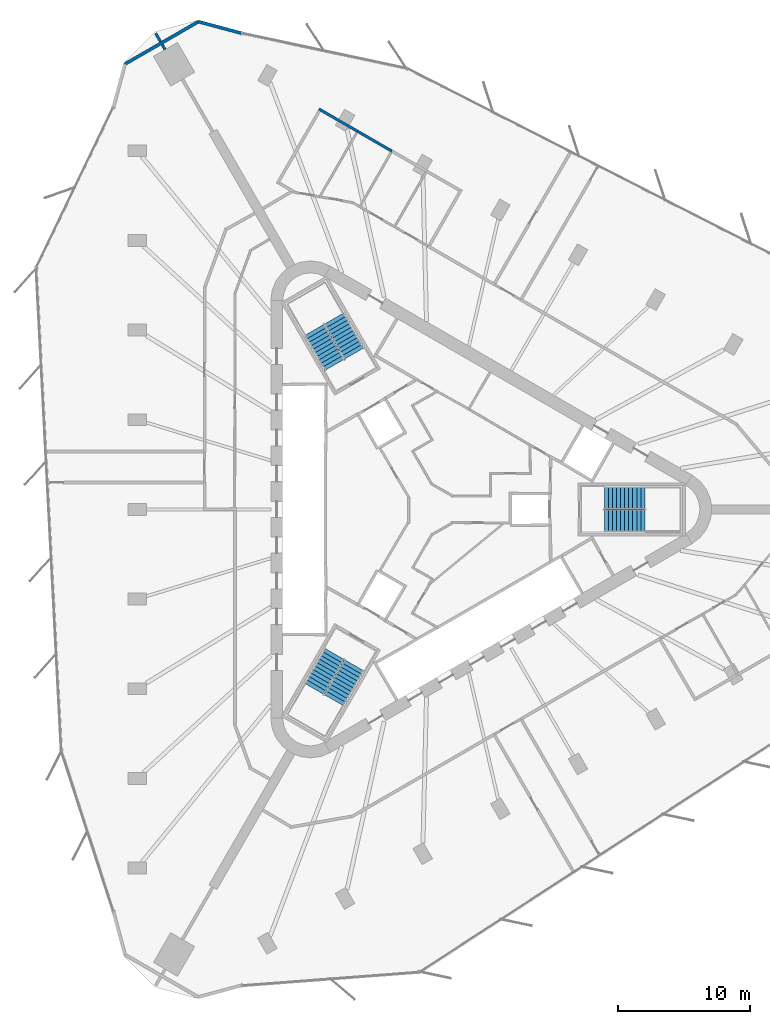
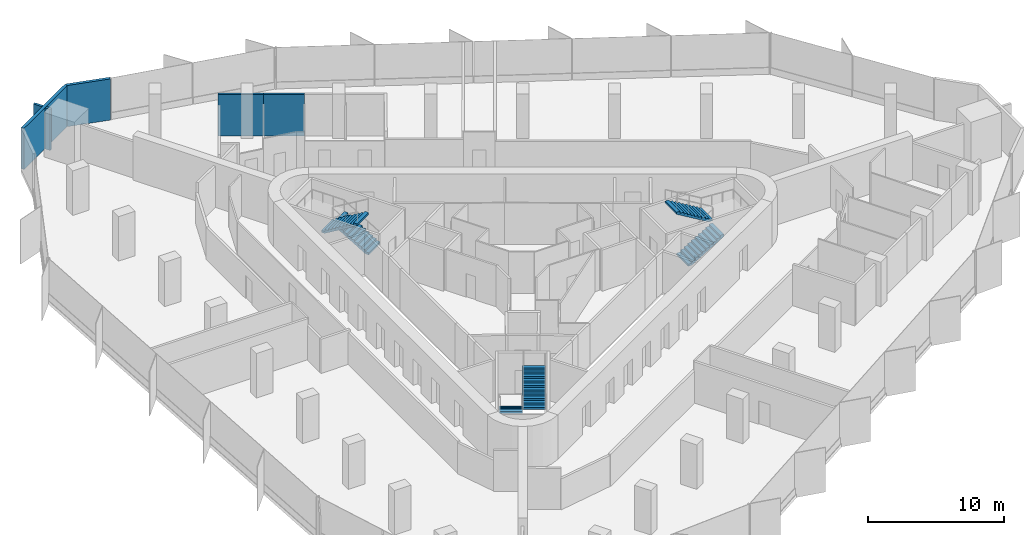
# One storey, part 13 of 14: 6 stair flights, 6 walls, 3 elements without a shape of their own.
"""IFC4 building model written with IfcOpenShell, lengths in metres."""

from ifc_helpers import new_model, si_unit, direction, frame, frame_2d, origin, place, context, subcontext, project, spatial, polyline, rectangle, outline, extrude, material, layer, layer_set, type_object, element, aggregate, save


model = new_model("IFC4")

# Units and contexts
model_context = context("Model", 3, precision=1e-05, world=origin(), true_north=direction((0.0, 1.0)))
body_context = subcontext(model_context, "Body", "Model", "MODEL_VIEW")
ifc_project = project(units=[si_unit("LENGTHUNIT", "METRE"), si_unit("AREAUNIT", "SQUARE_METRE"), si_unit("VOLUMEUNIT", "CUBIC_METRE"), si_unit("PLANEANGLEUNIT", "RADIAN"), si_unit("MASSUNIT", "GRAM", prefix="KILO")], contexts=[model_context])

# Site, building, storey
site_placement = place(None, origin())
site = spatial("IfcSite", under=ifc_project, at=site_placement, CompositionType="ELEMENT")
building_placement = place(site_placement, origin())
building = spatial("IfcBuilding", under=site, at=building_placement, Name="Tanit Gate Tower", CompositionType="ELEMENT")
storey_placement = place(building_placement, frame((0.0, 0.0, 209.199951171875)))
storey = spatial("IfcBuildingStorey", under=building, at=storey_placement, Name="L46", CompositionType="ELEMENT", Elevation=209.199951171875)

# Walls
ifc_material_1 = material(Name="Concrete C30/37 with bronze anodised aluminium cladding", Category="concrete")
ifc_layer_1 = layer(ifc_material_1, 0.239990234375)
ifc_layer_set_1 = layer_set([ifc_layer_1], Name="Facade wall bronze clad 240")
wall_type_1 = type_object("IfcWallType", Name="Facade wall bronze clad 240", PredefinedType="SOLIDWALL", material=ifc_layer_set_1)
wall_1_placement = place(storey_placement, frame((-14.32568359375, 35.962890625, 0.0), z_axis=(0.0, 0.0, 1.0), x_axis=(-0.965927247937, 0.258813739382, 0.0)))
element("IfcWall", 1, at=wall_1_placement, inside=storey, type_object=wall_type_1, Name="Bronze-clad facade wall L46 NW.arc1", PredefinedType="SOLIDWALL", context=body_context, shape_type="SweptSolid", body=[
    extrude(rectangle(XDim=3.3525390625, YDim=0.239990234375, at=frame_2d((1.67626953125, 0.0))), origin(), (0.0, 0.0, 1.0), 3.699951171875),
])
wall_2_placement = place(storey_placement, frame((-17.56396484375, 36.83056640625, 0.0), z_axis=(0.0, 0.0, 1.0), x_axis=(-0.86602381473, -0.500002752313, 0.0)))
element("IfcWall", 2, at=wall_2_placement, inside=storey, type_object=wall_type_1, Name="Bronze-clad facade wall L46 NW.arc2", PredefinedType="SOLIDWALL", context=body_context, shape_type="SweptSolid", body=[
    extrude(rectangle(XDim=6.40869140625, YDim=0.239990234375, at=frame_2d((3.204345703125, 0.0))), origin(), (0.0, 0.0, 1.0), 3.699951171875),
])
ifc_material_2 = material(Name="Fire-rated gypsum board partition")
ifc_layer_2 = layer(ifc_material_2, 0.199951171875)
ifc_layer_set_2 = layer_set([ifc_layer_2], Name="INT-WALL-COMPARTMENT")
wall_type_2 = type_object("IfcWallType", Name="INT-WALL-COMPARTMENT", PredefinedType="PARTITIONING", material=ifc_layer_set_2)
wall_3_placement = place(storey_placement, frame((-20.08154296875, 34.72216796875, 0.0), z_axis=(0.0, 0.0, 1.0), x_axis=(-0.500132045864, 0.865949153646, 0.0)))
element("IfcWall", 3, at=wall_3_placement, inside=storey, type_object=wall_type_2, Name="Wall Compartment W123", PredefinedType="PARTITIONING", context=body_context, shape_type="SweptSolid", body=[
    extrude(rectangle(XDim=0.447265625, YDim=0.199951171875, at=frame_2d((0.2236328125, 0.0))), origin(), (0.0, 0.0, 1.0), 3.699951171875),
])
wall_4_placement = place(storey_placement, frame((-20.425048828125, 35.317138671875, 0.0), z_axis=(0.0, 0.0, 1.0), x_axis=(-0.499876722092, 0.86609656662, 0.0)))
element("IfcWall", 4, at=wall_4_placement, inside=storey, type_object=wall_type_2, Name="Wall Compartment W123x1", PredefinedType="PARTITIONING", context=body_context, shape_type="SweptSolid", body=[
    extrude(rectangle(XDim=0.730712890625, YDim=0.199951171875, at=frame_2d((0.365234375, 0.0))), origin(), (0.0, 0.0, 1.0), 3.699951171875),
])
wall_5_placement = place(storey_placement, frame((-8.46728515625, 30.234375, 0.0), z_axis=(0.0, 0.0, 1.0), x_axis=(0.866011654119, -0.500023814363, 0.0)))
element("IfcWall", 5, at=wall_5_placement, inside=storey, type_object=wall_type_2, Name="Wall Compartment W133", PredefinedType="PARTITIONING", context=body_context, shape_type="SweptSolid", body=[
    extrude(rectangle(XDim=3.365966796875, YDim=0.199951171875, at=frame_2d((1.68310546875, 0.0))), origin(), (0.0, 0.0, 1.0), 3.699951171875),
])
wall_6_placement = place(storey_placement, frame((-5.55224609375, 28.55126953125, 0.0), z_axis=(0.0, 0.0, 1.0), x_axis=(0.866040543018, -0.499973777161, 0.0)))
element("IfcWall", 6, at=wall_6_placement, inside=storey, type_object=wall_type_2, Name="Wall Compartment W132", PredefinedType="PARTITIONING", context=body_context, shape_type="SweptSolid", body=[
    extrude(rectangle(XDim=2.999267578125, YDim=0.199951171875, at=frame_2d((1.49951171875, 0.0))), origin(), (0.0, 0.0, 1.0), 3.699951171875),
])

# Stair, stair flights
ifc_material_3 = material(Name="Concrete C40/50", Category="concrete")
stair_type = type_object("IfcStairType", Name="INT-STAIR-EXIT", PredefinedType="HALF_TURN_STAIR", material=ifc_material_3)
stair_1_placement = place(storey_placement, origin())
stair_1 = element("IfcStair", 7, at=stair_1_placement, inside=storey, type_object=stair_type, Name="L46 STAIR S1", PredefinedType="HALF_TURN_STAIR")
ifc_material_4 = material(Name="Concrete C40/50", Category="concrete")
stair_flight_type = type_object("IfcStairFlightType", Name="INT-STAIR-FLIGHT", PredefinedType="STRAIGHT", material=ifc_material_4)
stair_flight_1_placement = place(storey_placement, frame((13.094970703125, -0.8525390625, 0.0), z_axis=(0.0, 0.0, 1.0), x_axis=(1.0, 0.0, 0.0)))
stair_flight_1 = element("IfcStairFlight", 8, at=stair_flight_1_placement, type_object=stair_flight_type, Name="S1 flight 1", NumberOfRisers=11, NumberOfTreads=10, PredefinedType="STRAIGHT", RiserHeight=0.181818182, TreadLength=0.3051, context=body_context, shape_type="SweptSolid", body=[
    extrude(outline(polyline([(0.0, 0.0), (0.0, 0.181884765625), (0.30517578125, 0.181884765625), (0.30517578125, 0.363525390625), (0.610107421875, 0.363525390625), (0.610107421875, 0.54541015625), (0.915283203125, 0.54541015625), (0.915283203125, 0.727294921875), (1.220458984375, 0.727294921875), (1.220458984375, 0.9091796875), (1.525390625, 0.9091796875), (1.525390625, 1.0908203125), (1.83056640625, 1.0908203125), (1.83056640625, 1.272705078125), (2.1357421875, 1.272705078125), (2.1357421875, 1.45458984375), (2.44091796875, 1.45458984375), (2.44091796875, 1.636474609375), (2.745849609375, 1.636474609375), (2.745849609375, 1.818115234375), (3.051025390625, 1.818115234375), (3.051025390625, 2.0), (3.051025390625, 1.643798828125), (0.292724609375, 0.0), (0.0, 0.0)])), frame((0.0, 0.84765625, 0.0), z_axis=(0.0, -1.0, 0.0), x_axis=(1.0, 0.0, 0.0)), (0.0, 0.0, 1.0), 1.695068359375),
])
stair_flight_2_placement = place(storey_placement, frame((16.14599609375, 0.8525390625, 2.0), z_axis=(0.0, 0.0, 1.0), x_axis=(-1.0, 0.0, 0.0)))
stair_flight_2 = element("IfcStairFlight", 9, at=stair_flight_2_placement, type_object=stair_flight_type, Name="S1 flight 2", NumberOfRisers=11, NumberOfTreads=10, PredefinedType="STRAIGHT", RiserHeight=0.181818182, TreadLength=0.3051, context=body_context, shape_type="SweptSolid", body=[
    extrude(outline(polyline([(0.0, 0.0), (0.0, 0.181884765625), (0.30517578125, 0.181884765625), (0.30517578125, 0.363525390625), (0.610107421875, 0.363525390625), (0.610107421875, 0.54541015625), (0.915283203125, 0.54541015625), (0.915283203125, 0.727294921875), (1.220458984375, 0.727294921875), (1.220458984375, 0.9091796875), (1.525390625, 0.9091796875), (1.525390625, 1.0908203125), (1.83056640625, 1.0908203125), (1.83056640625, 1.272705078125), (2.1357421875, 1.272705078125), (2.1357421875, 1.45458984375), (2.44091796875, 1.45458984375), (2.44091796875, 1.636474609375), (2.745849609375, 1.636474609375), (2.745849609375, 1.818115234375), (3.051025390625, 1.818115234375), (3.051025390625, 2.0), (3.051025390625, 1.643798828125), (0.292724609375, 0.0), (0.0, 0.0)])), frame((0.0, 0.84765625, 0.0), z_axis=(0.0, -1.0, 0.0), x_axis=(1.0, 0.0, 0.0)), (0.0, 0.0, 1.0), 1.695068359375),
])
aggregate(stair_1, [stair_flight_1, stair_flight_2])

stair_2_placement = place(storey_placement, origin())
stair_2 = element("IfcStair", 10, at=stair_2_placement, inside=storey, type_object=stair_type, Name="L46 STAIR S2", PredefinedType="HALF_TURN_STAIR")
stair_flight_3_placement = place(storey_placement, frame((-5.808349609375, 11.766357421875, 0.0), z_axis=(0.0, 0.0, 1.0), x_axis=(-0.5, 0.866025403784, 0.0)))
stair_flight_3 = element("IfcStairFlight", 11, at=stair_flight_3_placement, type_object=stair_flight_type, Name="S2 flight 1", NumberOfRisers=11, NumberOfTreads=10, PredefinedType="STRAIGHT", RiserHeight=0.181818182, TreadLength=0.30492, context=body_context, shape_type="SweptSolid", body=[
    extrude(outline(polyline([(0.0, 0.0), (0.0, 0.181884765625), (0.304931640625, 0.181884765625), (0.304931640625, 0.363525390625), (0.60986328125, 0.363525390625), (0.60986328125, 0.54541015625), (0.914794921875, 0.54541015625), (0.914794921875, 0.727294921875), (1.2197265625, 0.727294921875), (1.2197265625, 0.9091796875), (1.524658203125, 0.9091796875), (1.524658203125, 1.0908203125), (1.82958984375, 1.0908203125), (1.82958984375, 1.272705078125), (2.134521484375, 1.272705078125), (2.134521484375, 1.45458984375), (2.439453125, 1.45458984375), (2.439453125, 1.636474609375), (2.744384765625, 1.636474609375), (2.744384765625, 1.818115234375), (3.04931640625, 1.818115234375), (3.04931640625, 2.0), (3.04931640625, 1.6435546875), (0.292724609375, 0.0), (0.0, 0.0)])), frame((0.0, 0.84716796875, 0.0), z_axis=(0.0, -1.0, 0.0), x_axis=(1.0, 0.0, 0.0)), (0.0, 0.0, 1.0), 1.694091796875),
])
stair_flight_4_placement = place(storey_placement, frame((-8.810302734375, 13.553955078125, 2.0), z_axis=(0.0, 0.0, 1.0), x_axis=(0.5, -0.866025403784, 0.0)))
stair_flight_4 = element("IfcStairFlight", 12, at=stair_flight_4_placement, type_object=stair_flight_type, Name="S2 flight 2", NumberOfRisers=11, NumberOfTreads=10, PredefinedType="STRAIGHT", RiserHeight=0.181818182, TreadLength=0.30492, context=body_context, shape_type="SweptSolid", body=[
    extrude(outline(polyline([(0.0, 0.0), (0.0, 0.181884765625), (0.304931640625, 0.181884765625), (0.304931640625, 0.363525390625), (0.60986328125, 0.363525390625), (0.60986328125, 0.54541015625), (0.914794921875, 0.54541015625), (0.914794921875, 0.727294921875), (1.2197265625, 0.727294921875), (1.2197265625, 0.9091796875), (1.524658203125, 0.9091796875), (1.524658203125, 1.0908203125), (1.82958984375, 1.0908203125), (1.82958984375, 1.272705078125), (2.134521484375, 1.272705078125), (2.134521484375, 1.45458984375), (2.439453125, 1.45458984375), (2.439453125, 1.636474609375), (2.744384765625, 1.636474609375), (2.744384765625, 1.818115234375), (3.04931640625, 1.818115234375), (3.04931640625, 2.0), (3.04931640625, 1.6435546875), (0.292724609375, 0.0), (0.0, 0.0)])), frame((0.0, 0.84716796875, 0.0), z_axis=(0.0, -1.0, 0.0), x_axis=(1.0, 0.0, 0.0)), (0.0, 0.0, 1.0), 1.694091796875),
])
aggregate(stair_2, [stair_flight_3, stair_flight_4])

stair_3_placement = place(storey_placement, origin())
stair_3 = element("IfcStair", 13, at=stair_3_placement, inside=storey, type_object=stair_type, Name="L46 STAIR S3", PredefinedType="HALF_TURN_STAIR")
stair_flight_5_placement = place(storey_placement, frame((-7.285888671875, -10.914306640625, 0.0), z_axis=(0.0, 0.0, 1.0), x_axis=(-0.5, -0.866025403784, 0.0)))
stair_flight_5 = element("IfcStairFlight", 14, at=stair_flight_5_placement, type_object=stair_flight_type, Name="S3 flight 1", NumberOfRisers=11, NumberOfTreads=10, PredefinedType="STRAIGHT", RiserHeight=0.181818182, TreadLength=0.3051, context=body_context, shape_type="SweptSolid", body=[
    extrude(outline(polyline([(0.0, 0.0), (0.0, 0.181884765625), (0.30517578125, 0.181884765625), (0.30517578125, 0.363525390625), (0.610107421875, 0.363525390625), (0.610107421875, 0.54541015625), (0.915283203125, 0.54541015625), (0.915283203125, 0.727294921875), (1.220458984375, 0.727294921875), (1.220458984375, 0.9091796875), (1.525390625, 0.9091796875), (1.525390625, 1.0908203125), (1.83056640625, 1.0908203125), (1.83056640625, 1.272705078125), (2.1357421875, 1.272705078125), (2.1357421875, 1.45458984375), (2.44091796875, 1.45458984375), (2.44091796875, 1.636474609375), (2.745849609375, 1.636474609375), (2.745849609375, 1.818115234375), (3.051025390625, 1.818115234375), (3.051025390625, 2.0), (3.051025390625, 1.643798828125), (0.292724609375, 0.0), (0.0, 0.0)])), frame((0.0, 0.84765625, 0.0), z_axis=(0.0, -1.0, 0.0), x_axis=(1.0, 0.0, 0.0)), (0.0, 0.0, 1.0), 1.695068359375),
])
stair_flight_6_placement = place(storey_placement, frame((-7.334716796875, -14.4091796875, 2.0), z_axis=(0.0, 0.0, 1.0), x_axis=(0.5, 0.866025403784, 0.0)))
stair_flight_6 = element("IfcStairFlight", 15, at=stair_flight_6_placement, type_object=stair_flight_type, Name="S3 flight 2", NumberOfRisers=11, NumberOfTreads=10, PredefinedType="STRAIGHT", RiserHeight=0.181818182, TreadLength=0.3051, context=body_context, shape_type="SweptSolid", body=[
    extrude(outline(polyline([(0.0, 0.0), (0.0, 0.181884765625), (0.30517578125, 0.181884765625), (0.30517578125, 0.363525390625), (0.610107421875, 0.363525390625), (0.610107421875, 0.54541015625), (0.915283203125, 0.54541015625), (0.915283203125, 0.727294921875), (1.220458984375, 0.727294921875), (1.220458984375, 0.9091796875), (1.525390625, 0.9091796875), (1.525390625, 1.0908203125), (1.83056640625, 1.0908203125), (1.83056640625, 1.272705078125), (2.1357421875, 1.272705078125), (2.1357421875, 1.45458984375), (2.44091796875, 1.45458984375), (2.44091796875, 1.636474609375), (2.745849609375, 1.636474609375), (2.745849609375, 1.818115234375), (3.051025390625, 1.818115234375), (3.051025390625, 2.0), (3.051025390625, 1.643798828125), (0.292724609375, 0.0), (0.0, 0.0)])), frame((0.0, 0.84765625, 0.0), z_axis=(0.0, -1.0, 0.0), x_axis=(1.0, 0.0, 0.0)), (0.0, 0.0, 1.0), 1.695068359375),
])
aggregate(stair_3, [stair_flight_5, stair_flight_6])

save(model, "model.ifc")
